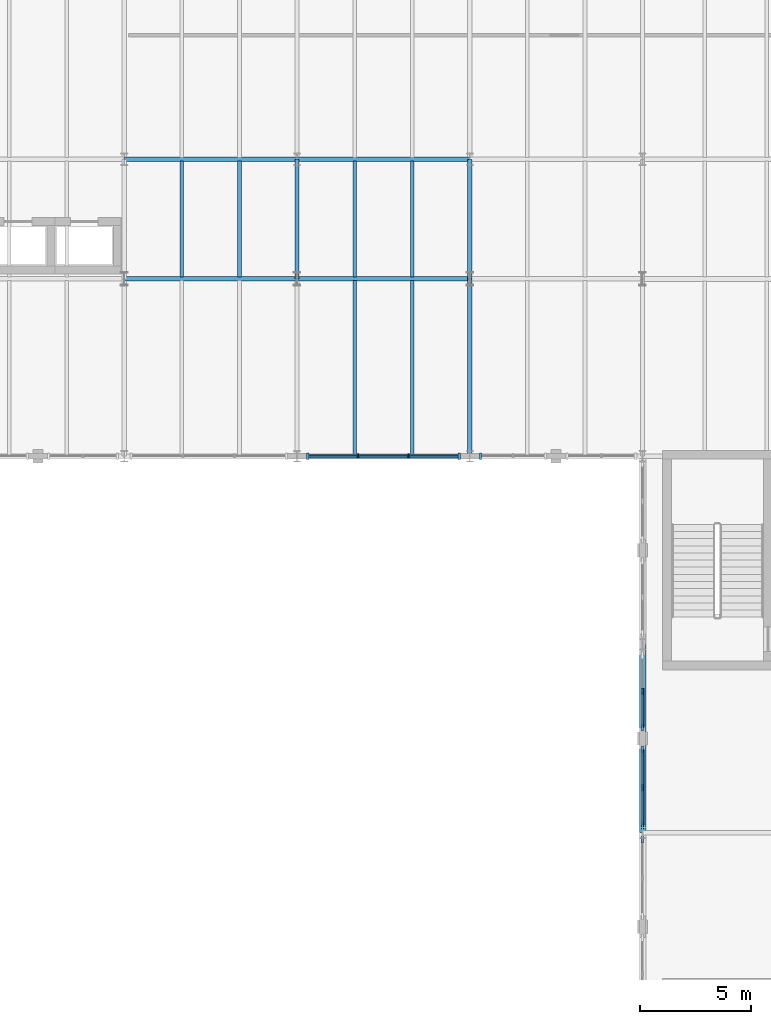
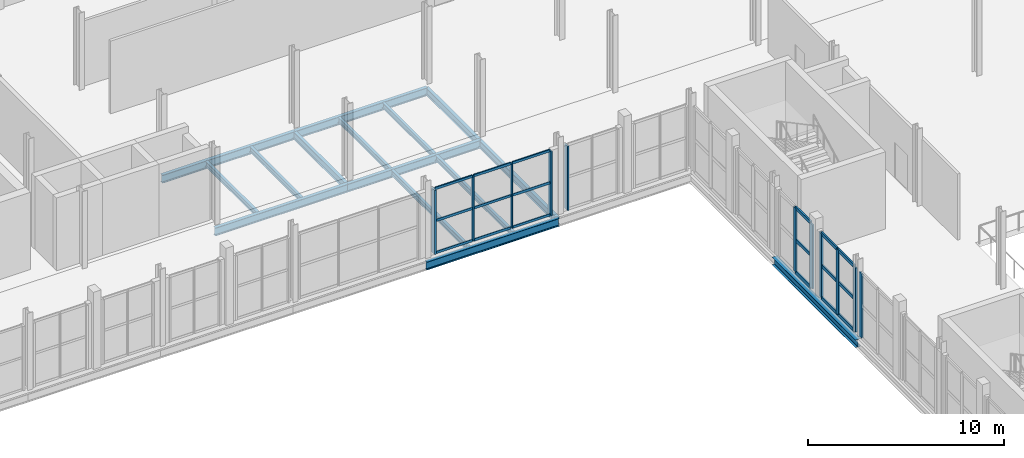
# One storey, part 30 of 63: 29 members, 15 beams, 5 elements without a shape of their own.
"""IFC4 building model written with IfcOpenShell, lengths in metres."""

import ifcopenshell
import ifcopenshell.guid

model = None  # the IFC model being written
_history = None  # IfcOwnerHistory: only IFC2X3 demands one
_inside = {}  # id of a spatial element -> (the spatial element, [elements in it])
_under = {}  # id of a project, library or spatial element -> (it, [spatial elements below it])
_declared = {}  # id of a project -> (the project, [libraries it declares])
_typed = {}  # id of a type object -> (the type object, [elements of that type])
_made_of = {}  # id of a material, layer set ... -> (it, [elements and type objects made of it])


def new_model(schema):
    """Start an empty IFC model of exactly this schema.

    Asked for "IFC4X3", IfcOpenShell would pick the latest addendum, in which some entities
    have other attributes; the version numbers below select the first issue.
    IFC2X3 requires an IfcOwnerHistory on every rooted entity: one is made here for all.
    """
    global model, _history
    if schema == "IFC4X3":
        model = ifcopenshell.file(schema_version=(4, 3, 0, 0))
    else:
        model = ifcopenshell.file(schema=schema)
    _inside.clear()
    _under.clear()
    _declared.clear()
    _typed.clear()
    _made_of.clear()
    _history = None
    if model.schema == "IFC2X3":
        org = make("IfcOrganization", Name="unknown")
        user = make(
            "IfcPersonAndOrganization",
            ThePerson=make("IfcPerson", FamilyName="unknown"),
            TheOrganization=org,
        )
        app = make(
            "IfcApplication",
            ApplicationDeveloper=org,
            Version="unknown",
            ApplicationFullName="unknown",
            ApplicationIdentifier="unknown",
        )
        _history = make(
            "IfcOwnerHistory",
            OwningUser=user,
            OwningApplication=app,
            ChangeAction="ADDED",
            CreationDate=0,
        )
    return model


def make(cls, **values):
    """One entity of the class cls with the attributes given. An attribute that is None is left unset."""
    return model.create_entity(
        cls, **{name: value for name, value in values.items() if value is not None}
    )


def rooted(cls, **values):
    """An entity with a GlobalId (a new one), such as an element, a storey or a relation."""
    return make(cls, GlobalId=ifcopenshell.guid.new(), OwnerHistory=_history, **values)


def si_unit(unit_type, name, prefix=None):
    """IfcSIUnit, for example si_unit("LENGTHUNIT", "METRE", prefix="MILLI")."""
    return make("IfcSIUnit", UnitType=unit_type, Prefix=prefix, Name=name)


def assignment(units):
    """IfcUnitAssignment: the units of a project."""
    return None if units is None else make("IfcUnitAssignment", Units=units)


def point(xyz):
    """IfcCartesianPoint."""
    return None if xyz is None else make("IfcCartesianPoint", Coordinates=xyz)


def direction(xyz):
    """IfcDirection."""
    return None if xyz is None else make("IfcDirection", DirectionRatios=xyz)


def frame(location, z_axis=None, x_axis=None):
    """IfcAxis2Placement3D, a coordinate frame: its origin and axes. An axis left out is left unset."""
    return make(
        "IfcAxis2Placement3D",
        Location=point(location),
        Axis=direction(z_axis),
        RefDirection=direction(x_axis),
    )


def frame_2d(location, x_axis=None):
    """IfcAxis2Placement2D, a coordinate frame in the plane: its origin and x axis."""
    return make(
        "IfcAxis2Placement2D", Location=point(location), RefDirection=direction(x_axis)
    )


def origin():
    """The frame at (0, 0, 0) with its axes left unset."""
    return frame((0.0, 0.0, 0.0))


def origin_2d():
    """The frame at (0, 0) in the plane with its x axis left unset."""
    return frame_2d((0.0, 0.0))


def place(relative_to, where):
    """IfcLocalPlacement: puts the frame where relative to a parent placement (None: the world)."""
    return make(
        "IfcLocalPlacement", PlacementRelTo=relative_to, RelativePlacement=where
    )


def context(
    kind, dimensions, precision=None, world=None, true_north=None, identifier=None
):
    """IfcGeometricRepresentationContext, for example the 3D "Model" context."""
    return make(
        "IfcGeometricRepresentationContext",
        ContextIdentifier=identifier,
        ContextType=kind,
        CoordinateSpaceDimension=dimensions,
        Precision=precision,
        WorldCoordinateSystem=world,
        TrueNorth=true_north,
    )


def subcontext(parent, identifier, kind, view, scale=None):
    """IfcGeometricRepresentationSubContext, for example "Body" below "Model"."""
    return make(
        "IfcGeometricRepresentationSubContext",
        ContextIdentifier=identifier,
        ContextType=kind,
        ParentContext=parent,
        TargetScale=scale,
        TargetView=view,
    )


def project(units=None, contexts=None):
    """IfcProject with its units and contexts."""
    return rooted(
        "IfcProject",
        Name="project",
        RepresentationContexts=contexts,
        UnitsInContext=assignment(units),
    )


def spatial(cls, under=None, at=None, **own):
    """A site, building, storey or space (cls), placed at a placement, below another one or the project."""
    s = rooted(cls, ObjectPlacement=at, **own)
    if under is not None:
        _under.setdefault(under.id(), (under, []))[1].append(s)
    return s


def profile(cls, at=None, kind="AREA", **sizes):
    """A parametric profile (cls). Its sizes go by their IFC names, for example OverallWidth=200.0."""
    return make(cls, ProfileType=kind, Position=at, **sizes)


def rectangle(**sizes):
    """IfcRectangleProfileDef."""
    return profile("IfcRectangleProfileDef", **sizes)


def i_section(**sizes):
    """IfcIShapeProfileDef."""
    return profile("IfcIShapeProfileDef", **sizes)


def extrude(swept, where, along, depth):
    """IfcExtrudedAreaSolid: the profile swept, set in the frame where, extruded along a direction by depth."""
    return make(
        "IfcExtrudedAreaSolid",
        SweptArea=swept,
        Position=where,
        ExtrudedDirection=direction(along),
        Depth=depth,
    )


def shape(context_of_items, identifier, shape_type, items):
    """IfcShapeRepresentation: the items that make up one representation, for example the "Body"."""
    return make(
        "IfcShapeRepresentation",
        ContextOfItems=context_of_items,
        RepresentationIdentifier=identifier,
        RepresentationType=shape_type,
        Items=items,
    )


def material(Name=None, Category=None):
    """IfcMaterial."""
    return make("IfcMaterial", Name=Name, Category=Category)


def layer(
    of_material, thickness, ventilated=None, Name=None, Category=None, Priority=None
):
    """IfcMaterialLayer: one layer of a wall or slab, of a material (None: an air gap)."""
    return make(
        "IfcMaterialLayer",
        Material=of_material,
        LayerThickness=thickness,
        IsVentilated=ventilated,
        Name=Name,
        Category=Category,
        Priority=Priority,
    )


def layer_set(layers, Name=None):
    """IfcMaterialLayerSet."""
    return make("IfcMaterialLayerSet", MaterialLayers=layers, LayerSetName=Name)


def material_profile(
    of_material, cross_section, Name=None, Category=None, Priority=None
):
    """IfcMaterialProfile: a cross section and its material."""
    return make(
        "IfcMaterialProfile",
        Name=Name,
        Material=of_material,
        Profile=cross_section,
        Priority=Priority,
        Category=Category,
    )


def profile_set(profiles, Name=None, composite=None):
    """IfcMaterialProfileSet."""
    return make(
        "IfcMaterialProfileSet",
        Name=Name,
        MaterialProfiles=profiles,
        CompositeProfile=composite,
    )


def made_of(thing, what):
    """Note that an element or type object is made of a material, layer set ...; save() writes the relation."""
    if what is not None:
        _made_of.setdefault(what.id(), (what, []))[1].append(thing)
    return thing


def type_object(cls, material=None, **own):
    """A type object (cls), such as IfcWallType, which elements share."""
    return made_of(rooted(cls, **own), material)


def element(
    cls,
    number,
    at=None,
    inside=None,
    cuts=None,
    type_object=None,
    material=None,
    context=None,
    identifier="Body",
    shape_type=None,
    held_by="IfcProductDefinitionShape",
    body=None,
    shapes=None,
    **own,
):
    """One element of the class cls, such as IfcWall. Its Tag is "e" and its number.

    at: its placement. inside: the storey or other place that contains it. cuts: it is an
    opening in that element (IfcRelVoidsElement). A single representation is given by context,
    identifier, shape_type and body (its items); several are given by shapes. held_by: the class
    of the entity that holds the representations. save() writes the other relations.
    """
    e = rooted(cls, Tag="e%d" % number, ObjectPlacement=at, **own)
    if body is not None:
        shapes = [shape(context, identifier, shape_type, body)]
    if shapes is not None:
        e.Representation = make(held_by, Representations=shapes)
    if inside is not None:
        _inside.setdefault(inside.id(), (inside, []))[1].append(e)
    if cuts is not None:
        rooted(
            "IfcRelVoidsElement", RelatingBuildingElement=cuts, RelatedOpeningElement=e
        )
    if type_object is not None:
        _typed.setdefault(type_object.id(), (type_object, []))[1].append(e)
    return made_of(e, material)


def aggregate(whole, parts):
    """IfcRelAggregates: a whole, such as a stair, and the parts it consists of."""
    return rooted("IfcRelAggregates", RelatingObject=whole, RelatedObjects=parts)


def save(model, path):
    """Write the relations noted so far, then the file.

    IfcRelAggregates (storeys below a building ...), IfcRelContainedInSpatialStructure (elements
    in a storey), IfcRelDefinesByType, IfcRelAssociatesMaterial and IfcRelDeclares: one each for
    every whole, place, type object, material and project.
    """
    for whole, parts in _under.values():
        aggregate(whole, parts)
    for where, things in _inside.values():
        rooted(
            "IfcRelContainedInSpatialStructure",
            RelatedElements=things,
            RelatingStructure=where,
        )
    for kind, things in _typed.values():
        rooted("IfcRelDefinesByType", RelatedObjects=things, RelatingType=kind)
    for what, things in _made_of.values():
        rooted("IfcRelAssociatesMaterial", RelatedObjects=things, RelatingMaterial=what)
    for by, libraries in _declared.values():
        rooted("IfcRelDeclares", RelatingContext=by, RelatedDefinitions=libraries)
    model.write(path)


model = new_model("IFC4")

# Units and contexts
model_context = context("Model", 3, precision=1e-05, world=origin(), true_north=direction((0.0, 1.0)))
body_context = subcontext(model_context, "Body", "Model", "MODEL_VIEW")
ifc_project = project(units=[si_unit("LENGTHUNIT", "METRE"), si_unit("AREAUNIT", "SQUARE_METRE"), si_unit("VOLUMEUNIT", "CUBIC_METRE"), si_unit("PLANEANGLEUNIT", "RADIAN"), si_unit("MASSUNIT", "GRAM", prefix="KILO")], contexts=[model_context])

# Site, building, storey
site_placement = place(None, origin())
site = spatial("IfcSite", under=ifc_project, at=site_placement, CompositionType="ELEMENT")
building_placement = place(site_placement, origin())
building = spatial("IfcBuilding", under=site, at=building_placement, Name="Sefraquen Railside Congress Hotel", CompositionType="ELEMENT")
storey_placement = place(building_placement, frame((0.0, 0.0, 11.39990234375)))
storey = spatial("IfcBuildingStorey", under=building, at=storey_placement, Name="L02", CompositionType="ELEMENT", Elevation=11.39990234375)

# Beams
ifc_material_1 = material(Name="Steel S355JR", Category="steel")
ifc_material_profile_1 = material_profile(ifc_material_1, i_section(OverallWidth=0.18994140625, OverallDepth=0.449951171875, WebThickness=0.009521484375, FlangeThickness=0.0146484375, FilletRadius=0.02099609375, at=origin_2d()), Name="IPE 450")
ifc_profile_set_1 = profile_set([ifc_material_profile_1], Name="Steel S355JR")
beam_type_1 = type_object("IfcBeamType", Name="TB-BM-450", PredefinedType="BEAM", material=ifc_profile_set_1)
beam_1_placement = place(storey_placement, frame((87.60009765625, 96.0, -0.574951171875), z_axis=(0.0, 1.0, 0.0), x_axis=(-1.0, 0.0, 0.0)))
element("IfcBeam", 1, at=beam_1_placement, inside=storey, type_object=beam_type_1, Name="Floor beam BM-L02-0912", PredefinedType="BEAM", context=body_context, shape_type="SweptSolid", body=[
    extrude(i_section(OverallWidth=0.18994140625, OverallDepth=0.449951171875, WebThickness=0.009521484375, FlangeThickness=0.0146484375, FilletRadius=0.02099609375, at=origin_2d()), origin(), (0.0, 0.0, 1.0), 5.39990234375),
])
beam_2_placement = place(storey_placement, frame((95.39990234375, 88.0, -0.574951171875), z_axis=(0.0, 1.0, 0.0), x_axis=(-1.0, 0.0, 0.0)))
element("IfcBeam", 2, at=beam_2_placement, inside=storey, type_object=beam_type_1, Name="Floor beam BM-L02-0919", PredefinedType="BEAM", context=body_context, shape_type="SweptSolid", body=[
    extrude(i_section(OverallWidth=0.18994140625, OverallDepth=0.449951171875, WebThickness=0.009521484375, FlangeThickness=0.0146484375, FilletRadius=0.02099609375, at=origin_2d()), origin(), (0.0, 0.0, 1.0), 8.0),
])
beam_3_placement = place(storey_placement, frame((95.39990234375, 96.0, -0.574951171875), z_axis=(0.0, 1.0, 0.0), x_axis=(-1.0, 0.0, 0.0)))
element("IfcBeam", 3, at=beam_3_placement, inside=storey, type_object=beam_type_1, Name="Floor beam BM-L02-0920", PredefinedType="BEAM", context=body_context, shape_type="SweptSolid", body=[
    extrude(i_section(OverallWidth=0.18994140625, OverallDepth=0.449951171875, WebThickness=0.009521484375, FlangeThickness=0.0146484375, FilletRadius=0.02099609375, at=origin_2d()), origin(), (0.0, 0.0, 1.0), 5.39990234375),
])
ifc_material_profile_2 = material_profile(ifc_material_1, i_section(OverallWidth=0.199951171875, OverallDepth=0.5, WebThickness=0.01025390625, FlangeThickness=0.01611328125, FilletRadius=0.02099609375, at=origin_2d()), Name="IPE 500")
ifc_profile_set_2 = profile_set([ifc_material_profile_2], Name="Steel S355JR")
beam_type_2 = type_object("IfcBeamType", Name="TB-BM-500", PredefinedType="BEAM", material=ifc_profile_set_2)
beam_4_placement = place(storey_placement, frame((87.60009765625, 88.0, -0.599853515625), z_axis=(1.0, 0.0, 0.0), x_axis=(0.0, 1.0, 0.0)))
element("IfcBeam", 4, at=beam_4_placement, inside=storey, type_object=beam_type_2, Name="Primary girder BM-L02-0769", PredefinedType="BEAM", context=body_context, shape_type="SweptSolid", body=[
    extrude(i_section(OverallWidth=0.199951171875, OverallDepth=0.5, WebThickness=0.01025390625, FlangeThickness=0.01611328125, FilletRadius=0.02099609375, at=origin_2d()), origin(), (0.0, 0.0, 1.0), 7.7998046875),
])
beam_5_placement = place(storey_placement, frame((79.800048828125, 96.0, -0.599853515625), z_axis=(1.0, 0.0, 0.0), x_axis=(0.0, 1.0, 0.0)))
element("IfcBeam", 5, at=beam_5_placement, inside=storey, type_object=beam_type_2, Name="Primary girder BM-L02-0784", PredefinedType="BEAM", context=body_context, shape_type="SweptSolid", body=[
    extrude(i_section(OverallWidth=0.199951171875, OverallDepth=0.5, WebThickness=0.01025390625, FlangeThickness=0.01611328125, FilletRadius=0.02099609375, at=origin_2d()), origin(), (0.0, 0.0, 1.0), 7.800048828125),
])
beam_6_placement = place(storey_placement, frame((87.60009765625, 96.0, -0.599853515625), z_axis=(1.0, 0.0, 0.0), x_axis=(0.0, 1.0, 0.0)))
element("IfcBeam", 6, at=beam_6_placement, inside=storey, type_object=beam_type_2, Name="Primary girder BM-L02-0785", PredefinedType="BEAM", context=body_context, shape_type="SweptSolid", body=[
    extrude(i_section(OverallWidth=0.199951171875, OverallDepth=0.5, WebThickness=0.01025390625, FlangeThickness=0.01611328125, FilletRadius=0.02099609375, at=origin_2d()), origin(), (0.0, 0.0, 1.0), 7.7998046875),
])
beam_7_placement = place(storey_placement, frame((79.800048828125, 101.39990234375, -0.599853515625), z_axis=(1.0, 0.0, 0.0), x_axis=(0.0, 1.0, 0.0)))
element("IfcBeam", 7, at=beam_7_placement, inside=storey, type_object=beam_type_2, Name="Primary girder BM-L02-0802", PredefinedType="BEAM", context=body_context, shape_type="SweptSolid", body=[
    extrude(i_section(OverallWidth=0.199951171875, OverallDepth=0.5, WebThickness=0.01025390625, FlangeThickness=0.01611328125, FilletRadius=0.02099609375, at=origin_2d()), origin(), (0.0, 0.0, 1.0), 7.800048828125),
])
beam_8_placement = place(storey_placement, frame((87.60009765625, 101.39990234375, -0.599853515625), z_axis=(1.0, 0.0, 0.0), x_axis=(0.0, 1.0, 0.0)))
element("IfcBeam", 8, at=beam_8_placement, inside=storey, type_object=beam_type_2, Name="Primary girder BM-L02-0803", PredefinedType="BEAM", context=body_context, shape_type="SweptSolid", body=[
    extrude(i_section(OverallWidth=0.199951171875, OverallDepth=0.5, WebThickness=0.01025390625, FlangeThickness=0.01611328125, FilletRadius=0.02099609375, at=origin_2d()), origin(), (0.0, 0.0, 1.0), 7.7998046875),
])
ifc_material_profile_3 = material_profile(ifc_material_1, i_section(OverallWidth=0.300048828125, OverallDepth=0.489990234375, WebThickness=0.011962890625, FlangeThickness=0.02294921875, FilletRadius=0.027099609375, at=origin_2d()), Name="HEA 500")
ifc_profile_set_3 = profile_set([ifc_material_profile_3], Name="Steel S355JR")
beam_type_3 = type_object("IfcBeamType", Name="TB-GIR-500", PredefinedType="T_BEAM", material=ifc_profile_set_3)
beam_9_placement = place(storey_placement, frame((103.199951171875, 71.0, -0.594970703125), z_axis=(0.0, 1.0, 0.0), x_axis=(-1.0, 0.0, 0.0)))
element("IfcBeam", 9, at=beam_9_placement, inside=storey, type_object=beam_type_3, Name="Floor beam BM-L02-0929", PredefinedType="T_BEAM", context=body_context, shape_type="SweptSolid", body=[
    extrude(i_section(OverallWidth=0.300048828125, OverallDepth=0.489990234375, WebThickness=0.011962890625, FlangeThickness=0.02294921875, FilletRadius=0.027099609375, at=origin_2d()), origin(), (0.0, 0.0, 1.0), 8.5),
])
ifc_material_profile_4 = material_profile(ifc_material_1, i_section(OverallWidth=0.159912109375, OverallDepth=0.330078125, WebThickness=0.007568359375, FlangeThickness=0.011474609375, FilletRadius=0.01806640625, at=origin_2d()), Name="IPE 330")
ifc_profile_set_4 = profile_set([ifc_material_profile_4], Name="Steel S355JR")
beam_type_4 = type_object("IfcBeamType", Name="TB-JST-330", PredefinedType="JOIST", material=ifc_profile_set_4)
for number, where, z_axis, x_axis, name in (
    (10, (82.39990234375, 96.080078125, -0.514892578125), (0.0, 1.0, 0.0), (-1.0, 0.0, 0.0), "Composite floor joist BM-L02-J0532"),
    (11, (85.0, 96.080078125, -0.514892578125), (0.0, 1.0, 0.0), (-1.0, 0.0, 0.0), "Composite floor joist BM-L02-J0533"),
):
    element("IfcBeam", number, at=place(storey_placement, frame(where, z_axis=z_axis, x_axis=x_axis)), inside=storey, type_object=beam_type_4, Name=name, PredefinedType="JOIST", context=body_context, shape_type="SweptSolid", body=[
        extrude(i_section(OverallWidth=0.159912109375, OverallDepth=0.330078125, WebThickness=0.007568359375, FlangeThickness=0.011474609375, FilletRadius=0.01806640625, at=origin_2d()), origin(), (0.0, 0.0, 1.0), 5.239990234375),
    ])
for number, where, z_axis, x_axis, name in (
    (12, (90.199951171875, 88.080078125, -0.514892578125), (0.0, 1.0, 0.0), (-1.0, 0.0, 0.0), "Composite floor joist BM-L02-J0546"),
    (13, (92.800048828125, 88.080078125, -0.514892578125), (0.0, 1.0, 0.0), (-1.0, 0.0, 0.0), "Composite floor joist BM-L02-J0547"),
):
    element("IfcBeam", number, at=place(storey_placement, frame(where, z_axis=z_axis, x_axis=x_axis)), inside=storey, type_object=beam_type_4, Name=name, PredefinedType="JOIST", context=body_context, shape_type="SweptSolid", body=[
        extrude(i_section(OverallWidth=0.159912109375, OverallDepth=0.330078125, WebThickness=0.007568359375, FlangeThickness=0.011474609375, FilletRadius=0.01806640625, at=origin_2d()), origin(), (0.0, 0.0, 1.0), 7.83984375),
    ])
for number, where, z_axis, x_axis, name in (
    (14, (90.199951171875, 96.080078125, -0.514892578125), (0.0, 1.0, 0.0), (-1.0, 0.0, 0.0), "Composite floor joist BM-L02-J0548"),
    (15, (92.800048828125, 96.080078125, -0.514892578125), (0.0, 1.0, 0.0), (-1.0, 0.0, 0.0), "Composite floor joist BM-L02-J0549"),
):
    element("IfcBeam", number, at=place(storey_placement, frame(where, z_axis=z_axis, x_axis=x_axis)), inside=storey, type_object=beam_type_4, Name=name, PredefinedType="JOIST", context=body_context, shape_type="SweptSolid", body=[
        extrude(i_section(OverallWidth=0.159912109375, OverallDepth=0.330078125, WebThickness=0.007568359375, FlangeThickness=0.011474609375, FilletRadius=0.01806640625, at=origin_2d()), origin(), (0.0, 0.0, 1.0), 5.239990234375),
    ])

# Curtain wall, members
ifc_material_2 = material(Name="Thermally broken anodised aluminium and low-E double glazing", Category="aluminium")
ifc_layer_1 = layer(ifc_material_2, 0.199951171875)
ifc_layer_set_1 = layer_set([ifc_layer_1], Name="Thermally broken anodised aluminium and low-E double glazing")
curtain_wall_type_1 = type_object("IfcCurtainWallType", Name="TCW-UCW-27", PredefinedType="USERDEFINED", material=ifc_layer_set_1)
curtain_wall_1_placement = place(storey_placement, origin())
curtain_wall_1 = element("IfcCurtainWall", 16, at=curtain_wall_1_placement, inside=storey, type_object=curtain_wall_type_1, Name="Courtyard north gallery curtain wall L02-3 bay 2", ObjectType="UNITISED CURTAIN WALL", PredefinedType="USERDEFINED")
ifc_material_3 = material(Name="Thermally broken anodised aluminium 6063-T6", Category="aluminium")
ifc_material_profile_5 = material_profile(ifc_material_3, rectangle(XDim=0.070068359375, YDim=0.199951171875, at=origin_2d()), Name="CWM 70x200")
ifc_profile_set_5 = profile_set([ifc_material_profile_5], Name="Thermally broken anodised aluminium 6063-T6")
member_type_1 = type_object("IfcMemberType", Name="TM-CWM-03", PredefinedType="MULLION", material=ifc_profile_set_5)
member_1_placement = place(storey_placement, frame((90.360107421875, 88.0, 0.0), z_axis=(0.0, 0.0, 1.0), x_axis=(1.0, 0.0, 0.0)))
member_1 = element("IfcMember", 17, at=member_1_placement, type_object=member_type_1, Name="CW-L02-059-S2 mullion 2", PredefinedType="MULLION", context=body_context, shape_type="SweptSolid", body=[
    extrude(rectangle(XDim=0.070068359375, YDim=0.199951171875, at=origin_2d()), origin(), (0.0, 0.0, 1.0), 3.989990234375),
])
member_2_placement = place(storey_placement, frame((92.639892578125, 88.0, 0.0), z_axis=(0.0, 0.0, 1.0), x_axis=(1.0, 0.0, 0.0)))
member_2 = element("IfcMember", 18, at=member_2_placement, type_object=member_type_1, Name="CW-L02-059-S2 mullion 3", PredefinedType="MULLION", context=body_context, shape_type="SweptSolid", body=[
    extrude(rectangle(XDim=0.070068359375, YDim=0.199951171875, at=origin_2d()), origin(), (0.0, 0.0, 1.0), 3.989990234375),
])

# Curtain wall, member
ifc_layer_2 = layer(ifc_material_2, 0.199951171875)
ifc_layer_set_2 = layer_set([ifc_layer_2], Name="Thermally broken anodised aluminium and low-E double glazing")
curtain_wall_type_2 = type_object("IfcCurtainWallType", Name="TCW-UCW-31", PredefinedType="USERDEFINED", material=ifc_layer_set_2)
curtain_wall_2_placement = place(storey_placement, origin())
curtain_wall_2 = element("IfcCurtainWall", 19, at=curtain_wall_2_placement, inside=storey, type_object=curtain_wall_type_2, Name="Courtyard east gallery curtain wall L02", ObjectType="UNITISED CURTAIN WALL", PredefinedType="USERDEFINED")
ifc_material_profile_6 = material_profile(ifc_material_3, rectangle(XDim=0.090087890625, YDim=0.280029296875, at=origin_2d()), Name="CWM 90x280")
ifc_profile_set_6 = profile_set([ifc_material_profile_6], Name="Thermally broken anodised aluminium 6063-T6")
member_type_2 = type_object("IfcMemberType", Name="TM-CWM-07", PredefinedType="MULLION", material=ifc_profile_set_6)
member_3_placement = place(storey_placement, frame((103.199951171875, 73.0400390625, 0.0), z_axis=(0.0, 0.0, 1.0), x_axis=(1.0, 0.0, 0.0)))
member_3 = element("IfcMember", 20, at=member_3_placement, type_object=member_type_2, Name="CW-L02-063 mullion 2", PredefinedType="MULLION", context=body_context, shape_type="SweptSolid", body=[
    extrude(rectangle(XDim=0.090087890625, YDim=0.280029296875, at=origin_2d()), origin(), (0.0, 0.0, 1.0), 3.989990234375),
])

curtain_wall_3_placement = place(storey_placement, origin())
curtain_wall_3 = element("IfcCurtainWall", 21, at=curtain_wall_3_placement, inside=storey, type_object=curtain_wall_type_2, Name="Courtyard east gallery curtain wall L02 bay 2", ObjectType="UNITISED CURTAIN WALL", PredefinedType="USERDEFINED")
member_4_placement = place(storey_placement, frame((103.199951171875, 77.375, 0.0), z_axis=(0.0, 0.0, 1.0), x_axis=(1.0, 0.0, 0.0)))
member_4 = element("IfcMember", 22, at=member_4_placement, type_object=member_type_2, Name="CW-L02-063-S2 mullion 2", PredefinedType="MULLION", context=body_context, shape_type="SweptSolid", body=[
    extrude(rectangle(XDim=0.090087890625, YDim=0.280029296875, at=origin_2d()), origin(), (0.0, 0.0, 1.0), 3.989990234375),
])

# Member
ifc_material_profile_7 = material_profile(ifc_material_3, rectangle(XDim=0.094970703125, YDim=0.300048828125, at=origin_2d()), Name="CWM 95x300")
ifc_profile_set_7 = profile_set([ifc_material_profile_7], Name="Thermally broken anodised aluminium 6063-T6")
member_type_3 = type_object("IfcMemberType", Name="TM-CWM-08", PredefinedType="MULLION", material=ifc_profile_set_7)
member_5_placement = place(storey_placement, frame((88.080078125, 88.0, 0.0), z_axis=(0.0, 0.0, 1.0), x_axis=(1.0, 0.0, 0.0)))
member_5 = element("IfcMember", 23, at=member_5_placement, type_object=member_type_3, Name="CW-L02-059-S2 mullion 1", PredefinedType="MULLION", context=body_context, shape_type="SweptSolid", body=[
    extrude(rectangle(XDim=0.094970703125, YDim=0.300048828125, at=origin_2d()), origin(), (0.0, 0.0, 1.0), 3.989990234375),
])

member_6_placement = place(storey_placement, frame((94.919921875, 88.0, 0.0), z_axis=(0.0, 0.0, 1.0), x_axis=(1.0, 0.0, 0.0)))
member_6 = element("IfcMember", 24, at=member_6_placement, type_object=member_type_3, Name="CW-L02-059-S2 mullion 4", PredefinedType="MULLION", context=body_context, shape_type="SweptSolid", body=[
    extrude(rectangle(XDim=0.094970703125, YDim=0.300048828125, at=origin_2d()), origin(), (0.0, 0.0, 1.0), 3.989990234375),
])

# Curtain wall, member
curtain_wall_4_placement = place(storey_placement, origin())
curtain_wall_4 = element("IfcCurtainWall", 25, at=curtain_wall_4_placement, inside=storey, type_object=curtain_wall_type_1, Name="Courtyard north gallery curtain wall L02-3 bay 3", ObjectType="UNITISED CURTAIN WALL", PredefinedType="USERDEFINED")
member_7_placement = place(storey_placement, frame((95.8798828125, 88.0, 0.0), z_axis=(0.0, 0.0, 1.0), x_axis=(1.0, 0.0, 0.0)))
member_7 = element("IfcMember", 26, at=member_7_placement, type_object=member_type_3, Name="CW-L02-059-S3 mullion 1", PredefinedType="MULLION", context=body_context, shape_type="SweptSolid", body=[
    extrude(rectangle(XDim=0.094970703125, YDim=0.300048828125, at=origin_2d()), origin(), (0.0, 0.0, 1.0), 3.989990234375),
])
aggregate(curtain_wall_4, [member_7])

ifc_layer_3 = layer(ifc_material_2, 0.199951171875)
ifc_layer_set_3 = layer_set([ifc_layer_3], Name="Thermally broken anodised aluminium and low-E double glazing")
curtain_wall_type_3 = type_object("IfcCurtainWallType", Name="TCW-UCW-29", PredefinedType="USERDEFINED", material=ifc_layer_set_3)
curtain_wall_5_placement = place(storey_placement, origin())
curtain_wall_5 = element("IfcCurtainWall", 27, at=curtain_wall_5_placement, inside=storey, type_object=curtain_wall_type_3, Name="Courtyard east gallery curtain wall L02 bay 4", ObjectType="UNITISED CURTAIN WALL", PredefinedType="USERDEFINED")
member_8_placement = place(storey_placement, frame((103.199951171875, 70.68994140625, 0.0), z_axis=(0.0, 0.0, 1.0), x_axis=(1.0, 0.0, 0.0)))
member_8 = element("IfcMember", 28, at=member_8_placement, type_object=member_type_3, Name="CW-L02-061-S4 mullion 3", PredefinedType="MULLION", context=body_context, shape_type="SweptSolid", body=[
    extrude(rectangle(XDim=0.094970703125, YDim=0.300048828125, at=origin_2d()), origin(), (0.0, 0.0, 1.0), 3.989990234375),
])
aggregate(curtain_wall_5, [member_8])

# Member
member_9_placement = place(storey_placement, frame((103.199951171875, 71.31005859375, 0.0), z_axis=(0.0, 0.0, 1.0), x_axis=(1.0, 0.0, 0.0)))
member_9 = element("IfcMember", 29, at=member_9_placement, type_object=member_type_3, Name="CW-L02-063 mullion 1", PredefinedType="MULLION", context=body_context, shape_type="SweptSolid", body=[
    extrude(rectangle(XDim=0.094970703125, YDim=0.300048828125, at=origin_2d()), origin(), (0.0, 0.0, 1.0), 3.989990234375),
])

member_10_placement = place(storey_placement, frame((103.199951171875, 74.77001953125, 0.0), z_axis=(0.0, 0.0, 1.0), x_axis=(1.0, 0.0, 0.0)))
member_10 = element("IfcMember", 30, at=member_10_placement, type_object=member_type_3, Name="CW-L02-063 mullion 3", PredefinedType="MULLION", context=body_context, shape_type="SweptSolid", body=[
    extrude(rectangle(XDim=0.094970703125, YDim=0.300048828125, at=origin_2d()), origin(), (0.0, 0.0, 1.0), 3.989990234375),
])

member_11_placement = place(storey_placement, frame((103.199951171875, 75.72998046875, 0.0), z_axis=(0.0, 0.0, 1.0), x_axis=(1.0, 0.0, 0.0)))
member_11 = element("IfcMember", 31, at=member_11_placement, type_object=member_type_3, Name="CW-L02-063-S2 mullion 1", PredefinedType="MULLION", context=body_context, shape_type="SweptSolid", body=[
    extrude(rectangle(XDim=0.094970703125, YDim=0.300048828125, at=origin_2d()), origin(), (0.0, 0.0, 1.0), 3.989990234375),
])

ifc_material_profile_8 = material_profile(ifc_material_3, rectangle(XDim=0.070068359375, YDim=0.14990234375, at=origin_2d()), Name="CWT 70x150")
ifc_profile_set_8 = profile_set([ifc_material_profile_8], Name="Thermally broken anodised aluminium 6063-T6")
member_type_4 = type_object("IfcMemberType", Name="TM-CWT-03", PredefinedType="USERDEFINED", material=ifc_profile_set_8)
member_12_placement = place(storey_placement, frame((88.125, 88.0, 0.0), z_axis=(1.0, 0.0, 0.0), x_axis=(0.0, 1.0, 0.0)))
member_12 = element("IfcMember", 32, at=member_12_placement, type_object=member_type_4, Name="CW-L02-059-S2 transom 1.1", ObjectType="TRANSOM", PredefinedType="USERDEFINED", context=body_context, shape_type="SweptSolid", body=[
    extrude(rectangle(XDim=0.070068359375, YDim=0.14990234375, at=origin_2d()), origin(), (0.0, 0.0, 1.0), 2.18994140625),
])

member_13_placement = place(storey_placement, frame((90.405029296875, 88.0, 0.0), z_axis=(1.0, 0.0, 0.0), x_axis=(0.0, 1.0, 0.0)))
member_13 = element("IfcMember", 33, at=member_13_placement, type_object=member_type_4, Name="CW-L02-059-S2 transom 1.2", ObjectType="TRANSOM", PredefinedType="USERDEFINED", context=body_context, shape_type="SweptSolid", body=[
    extrude(rectangle(XDim=0.070068359375, YDim=0.14990234375, at=origin_2d()), origin(), (0.0, 0.0, 1.0), 2.18994140625),
])

member_14_placement = place(storey_placement, frame((92.68505859375, 88.0, 0.0), z_axis=(1.0, 0.0, 0.0), x_axis=(0.0, 1.0, 0.0)))
member_14 = element("IfcMember", 34, at=member_14_placement, type_object=member_type_4, Name="CW-L02-059-S2 transom 1.3", ObjectType="TRANSOM", PredefinedType="USERDEFINED", context=body_context, shape_type="SweptSolid", body=[
    extrude(rectangle(XDim=0.070068359375, YDim=0.14990234375, at=origin_2d()), origin(), (0.0, 0.0, 1.0), 2.18994140625),
])

member_15_placement = place(storey_placement, frame((88.125, 88.0, 1.9951171875), z_axis=(1.0, 0.0, 0.0), x_axis=(0.0, 1.0, 0.0)))
member_15 = element("IfcMember", 35, at=member_15_placement, type_object=member_type_4, Name="CW-L02-059-S2 transom 2.1", ObjectType="TRANSOM", PredefinedType="USERDEFINED", context=body_context, shape_type="SweptSolid", body=[
    extrude(rectangle(XDim=0.070068359375, YDim=0.14990234375, at=origin_2d()), origin(), (0.0, 0.0, 1.0), 2.18994140625),
])

member_16_placement = place(storey_placement, frame((90.405029296875, 88.0, 1.9951171875), z_axis=(1.0, 0.0, 0.0), x_axis=(0.0, 1.0, 0.0)))
member_16 = element("IfcMember", 36, at=member_16_placement, type_object=member_type_4, Name="CW-L02-059-S2 transom 2.2", ObjectType="TRANSOM", PredefinedType="USERDEFINED", context=body_context, shape_type="SweptSolid", body=[
    extrude(rectangle(XDim=0.070068359375, YDim=0.14990234375, at=origin_2d()), origin(), (0.0, 0.0, 1.0), 2.18994140625),
])

member_17_placement = place(storey_placement, frame((92.68505859375, 88.0, 1.9951171875), z_axis=(1.0, 0.0, 0.0), x_axis=(0.0, 1.0, 0.0)))
member_17 = element("IfcMember", 37, at=member_17_placement, type_object=member_type_4, Name="CW-L02-059-S2 transom 2.3", ObjectType="TRANSOM", PredefinedType="USERDEFINED", context=body_context, shape_type="SweptSolid", body=[
    extrude(rectangle(XDim=0.070068359375, YDim=0.14990234375, at=origin_2d()), origin(), (0.0, 0.0, 1.0), 2.18994140625),
])

member_18_placement = place(storey_placement, frame((88.125, 88.0, 3.989990234375), z_axis=(1.0, 0.0, 0.0), x_axis=(0.0, 1.0, 0.0)))
member_18 = element("IfcMember", 38, at=member_18_placement, type_object=member_type_4, Name="CW-L02-059-S2 transom 3.1", ObjectType="TRANSOM", PredefinedType="USERDEFINED", context=body_context, shape_type="SweptSolid", body=[
    extrude(rectangle(XDim=0.070068359375, YDim=0.14990234375, at=origin_2d()), origin(), (0.0, 0.0, 1.0), 2.18994140625),
])

member_19_placement = place(storey_placement, frame((90.405029296875, 88.0, 3.989990234375), z_axis=(1.0, 0.0, 0.0), x_axis=(0.0, 1.0, 0.0)))
member_19 = element("IfcMember", 39, at=member_19_placement, type_object=member_type_4, Name="CW-L02-059-S2 transom 3.2", ObjectType="TRANSOM", PredefinedType="USERDEFINED", context=body_context, shape_type="SweptSolid", body=[
    extrude(rectangle(XDim=0.070068359375, YDim=0.14990234375, at=origin_2d()), origin(), (0.0, 0.0, 1.0), 2.18994140625),
])

member_20_placement = place(storey_placement, frame((92.68505859375, 88.0, 3.989990234375), z_axis=(1.0, 0.0, 0.0), x_axis=(0.0, 1.0, 0.0)))
member_20 = element("IfcMember", 40, at=member_20_placement, type_object=member_type_4, Name="CW-L02-059-S2 transom 3.3", ObjectType="TRANSOM", PredefinedType="USERDEFINED", context=body_context, shape_type="SweptSolid", body=[
    extrude(rectangle(XDim=0.070068359375, YDim=0.14990234375, at=origin_2d()), origin(), (0.0, 0.0, 1.0), 2.18994140625),
])

aggregate(curtain_wall_1, [member_5, member_1, member_2, member_6, member_12, member_13, member_14, member_15, member_16, member_17, member_18, member_19, member_20])

ifc_material_profile_9 = material_profile(ifc_material_3, rectangle(XDim=0.090087890625, YDim=0.2099609375, at=origin_2d()), Name="CWT 90x210")
ifc_profile_set_9 = profile_set([ifc_material_profile_9], Name="Thermally broken anodised aluminium 6063-T6")
member_type_5 = type_object("IfcMemberType", Name="TM-CWT-07", PredefinedType="USERDEFINED", material=ifc_profile_set_9)
member_21_placement = place(storey_placement, frame((103.199951171875, 71.35498046875, 0.0), z_axis=(0.0, 1.0, 0.0), x_axis=(-1.0, 0.0, 0.0)))
member_21 = element("IfcMember", 41, at=member_21_placement, type_object=member_type_5, Name="CW-L02-063 transom 1.1", ObjectType="TRANSOM", PredefinedType="USERDEFINED", context=body_context, shape_type="SweptSolid", body=[
    extrude(rectangle(XDim=0.090087890625, YDim=0.2099609375, at=origin_2d()), origin(), (0.0, 0.0, 1.0), 1.64013671875),
])

member_22_placement = place(storey_placement, frame((103.199951171875, 73.0849609375, 0.0), z_axis=(0.0, 1.0, 0.0), x_axis=(-1.0, 0.0, 0.0)))
member_22 = element("IfcMember", 42, at=member_22_placement, type_object=member_type_5, Name="CW-L02-063 transom 1.2", ObjectType="TRANSOM", PredefinedType="USERDEFINED", context=body_context, shape_type="SweptSolid", body=[
    extrude(rectangle(XDim=0.090087890625, YDim=0.2099609375, at=origin_2d()), origin(), (0.0, 0.0, 1.0), 1.64013671875),
])

member_23_placement = place(storey_placement, frame((103.199951171875, 71.35498046875, 1.9951171875), z_axis=(0.0, 1.0, 0.0), x_axis=(-1.0, 0.0, 0.0)))
member_23 = element("IfcMember", 43, at=member_23_placement, type_object=member_type_5, Name="CW-L02-063 transom 2.1", ObjectType="TRANSOM", PredefinedType="USERDEFINED", context=body_context, shape_type="SweptSolid", body=[
    extrude(rectangle(XDim=0.090087890625, YDim=0.2099609375, at=origin_2d()), origin(), (0.0, 0.0, 1.0), 1.64013671875),
])

member_24_placement = place(storey_placement, frame((103.199951171875, 73.0849609375, 1.9951171875), z_axis=(0.0, 1.0, 0.0), x_axis=(-1.0, 0.0, 0.0)))
member_24 = element("IfcMember", 44, at=member_24_placement, type_object=member_type_5, Name="CW-L02-063 transom 2.2", ObjectType="TRANSOM", PredefinedType="USERDEFINED", context=body_context, shape_type="SweptSolid", body=[
    extrude(rectangle(XDim=0.090087890625, YDim=0.2099609375, at=origin_2d()), origin(), (0.0, 0.0, 1.0), 1.64013671875),
])

member_25_placement = place(storey_placement, frame((103.199951171875, 71.35498046875, 3.989990234375), z_axis=(0.0, 1.0, 0.0), x_axis=(-1.0, 0.0, 0.0)))
member_25 = element("IfcMember", 45, at=member_25_placement, type_object=member_type_5, Name="CW-L02-063 transom 3.1", ObjectType="TRANSOM", PredefinedType="USERDEFINED", context=body_context, shape_type="SweptSolid", body=[
    extrude(rectangle(XDim=0.090087890625, YDim=0.2099609375, at=origin_2d()), origin(), (0.0, 0.0, 1.0), 1.64013671875),
])

member_26_placement = place(storey_placement, frame((103.199951171875, 73.0849609375, 3.989990234375), z_axis=(0.0, 1.0, 0.0), x_axis=(-1.0, 0.0, 0.0)))
member_26 = element("IfcMember", 46, at=member_26_placement, type_object=member_type_5, Name="CW-L02-063 transom 3.2", ObjectType="TRANSOM", PredefinedType="USERDEFINED", context=body_context, shape_type="SweptSolid", body=[
    extrude(rectangle(XDim=0.090087890625, YDim=0.2099609375, at=origin_2d()), origin(), (0.0, 0.0, 1.0), 1.64013671875),
])

aggregate(curtain_wall_2, [member_9, member_3, member_10, member_21, member_22, member_23, member_24, member_25, member_26])

member_27_placement = place(storey_placement, frame((103.199951171875, 75.77490234375, 0.0), z_axis=(0.0, 1.0, 0.0), x_axis=(-1.0, 0.0, 0.0)))
member_27 = element("IfcMember", 47, at=member_27_placement, type_object=member_type_5, Name="CW-L02-063-S2 transom 1.1", ObjectType="TRANSOM", PredefinedType="USERDEFINED", context=body_context, shape_type="SweptSolid", body=[
    extrude(rectangle(XDim=0.090087890625, YDim=0.2099609375, at=origin_2d()), origin(), (0.0, 0.0, 1.0), 1.55517578125),
])

member_28_placement = place(storey_placement, frame((103.199951171875, 75.77490234375, 1.9951171875), z_axis=(0.0, 1.0, 0.0), x_axis=(-1.0, 0.0, 0.0)))
member_28 = element("IfcMember", 48, at=member_28_placement, type_object=member_type_5, Name="CW-L02-063-S2 transom 2.1", ObjectType="TRANSOM", PredefinedType="USERDEFINED", context=body_context, shape_type="SweptSolid", body=[
    extrude(rectangle(XDim=0.090087890625, YDim=0.2099609375, at=origin_2d()), origin(), (0.0, 0.0, 1.0), 1.55517578125),
])

member_29_placement = place(storey_placement, frame((103.199951171875, 75.77490234375, 3.989990234375), z_axis=(0.0, 1.0, 0.0), x_axis=(-1.0, 0.0, 0.0)))
member_29 = element("IfcMember", 49, at=member_29_placement, type_object=member_type_5, Name="CW-L02-063-S2 transom 3.1", ObjectType="TRANSOM", PredefinedType="USERDEFINED", context=body_context, shape_type="SweptSolid", body=[
    extrude(rectangle(XDim=0.090087890625, YDim=0.2099609375, at=origin_2d()), origin(), (0.0, 0.0, 1.0), 1.55517578125),
])

aggregate(curtain_wall_3, [member_11, member_4, member_27, member_28, member_29])

save(model, "model.ifc")
